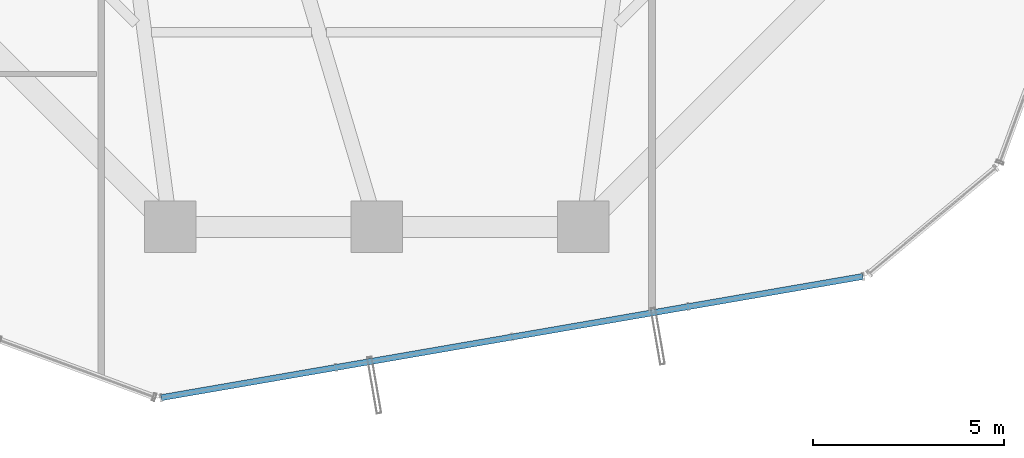
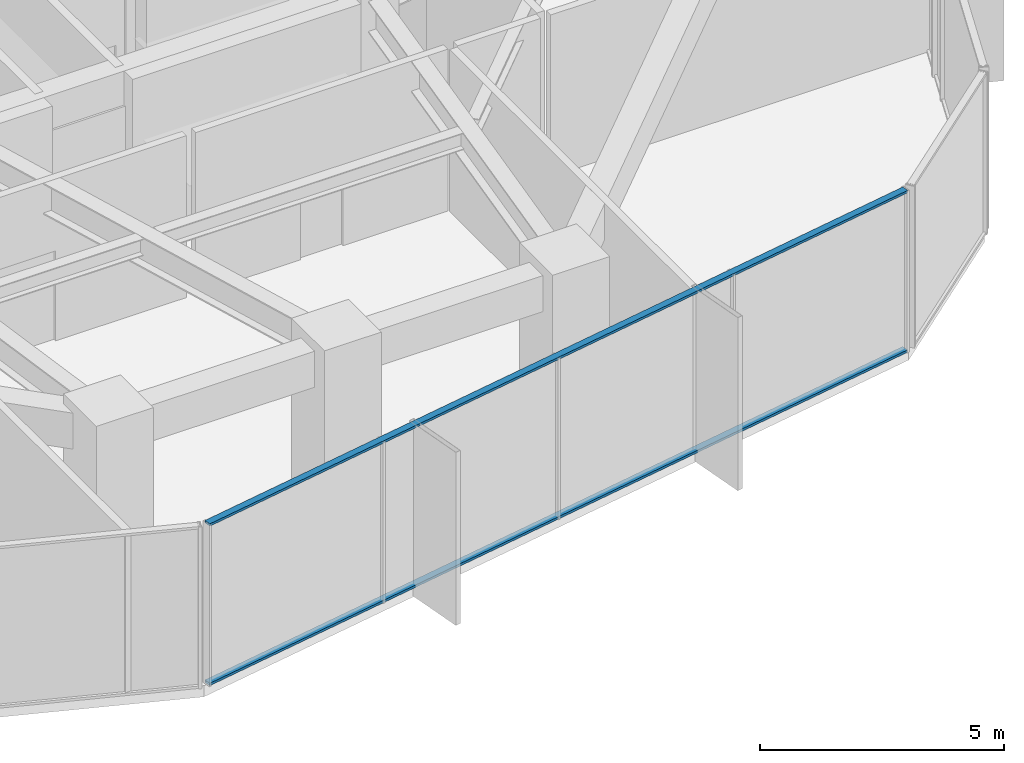
# One storey, part 7 of 35: 2 members, 1 element without a shape of its own.
"""IFC4 building model written with IfcOpenShell, lengths in metres."""

from ifc_helpers import new_model, si_unit, direction, frame, origin, origin_2d, place, context, subcontext, project, spatial, hollow_rectangle, extrude, source, transform, mapped, material, layer, layer_set, material_profile, profile_set, type_object, element, aggregate, save


model = new_model("IFC4")

# Units and contexts
model_context = context("Model", 3, precision=1e-05, world=origin(), true_north=direction((0.0, 1.0)))
body_context = subcontext(model_context, "Body", "Model", "MODEL_VIEW")
ifc_project = project(units=[si_unit("LENGTHUNIT", "METRE"), si_unit("AREAUNIT", "SQUARE_METRE"), si_unit("VOLUMEUNIT", "CUBIC_METRE"), si_unit("PLANEANGLEUNIT", "RADIAN"), si_unit("MASSUNIT", "GRAM", prefix="KILO")], contexts=[model_context])

# Site, building, storey
site_placement = place(None, origin())
site = spatial("IfcSite", under=ifc_project, at=site_placement, CompositionType="ELEMENT")
building_placement = place(site_placement, origin())
building = spatial("IfcBuilding", under=site, at=building_placement, Name="Veraguas Prism Commons", CompositionType="ELEMENT")
storey_placement = place(building_placement, frame((0.0, 0.0, 56.550048828125)))
storey = spatial("IfcBuildingStorey", under=building, at=storey_placement, Name="L15", CompositionType="ELEMENT", Elevation=56.550048828125)

# Curtain wall, members
ifc_material = material(Name="Anodised aluminium EN AW-6063 T6", Category="aluminium")
ifc_layer = layer(ifc_material, 0.199951171875, Name="Sky Lobby and Pool Acoustic Curtain Wall", Category="aluminium")
ifc_layer_set = layer_set([ifc_layer], Name="Anodised aluminium EN AW-6063 T6")
curtain_wall_type = type_object("IfcCurtainWallType", Name="Sky Lobby and Pool Acoustic Curtain Wall", PredefinedType="NOTDEFINED", material=ifc_layer_set)
curtain_wall_placement = place(storey_placement, origin())
curtain_wall = element("IfcCurtainWall", 1, at=curtain_wall_placement, inside=storey, type_object=curtain_wall_type, Name="Tower Facade Curtain Wall L15-F5", PredefinedType="NOTDEFINED")
ifc_material_profile = material_profile(ifc_material, hollow_rectangle(XDim=0.06005859375, YDim=0.159912109375, WallThickness=0.0029296875, at=origin_2d()), Name="AL60X160X3")
ifc_profile_set = profile_set([ifc_material_profile], Name="Anodised aluminium EN AW-6063 T6")
member_type = type_object("IfcMemberType", Name="Curtain Wall Transom Heavy AL 60x160x3", PredefinedType="USERDEFINED", material=ifc_profile_set)
shared_shape = source(origin(), body_context, "Body", "SweptSolid", [
    extrude(hollow_rectangle(XDim=0.06005859375, YDim=0.159912109375, WallThickness=0.0029296875, at=origin_2d()), origin(), (0.0, 0.0, 1.0), 18.619140625),
])
member_1_placement = place(storey_placement, frame((18.364013671875, 1.93408203125, 0.030029296875), z_axis=(0.98540752831, 0.170211642227, 0.0), x_axis=(0.0, 0.0, 1.0)))
member_1 = element("IfcMember", 2, at=member_1_placement, type_object=member_type, Name="CW-SKY Transom 1", ObjectType="TRANSOM", PredefinedType="USERDEFINED", context=body_context, shape_type="MappedRepresentation", body=[
    mapped(shared_shape, transform((0.0, 0.0, 0.0), scale=1.0)),
])
member_2_placement = place(storey_placement, frame((18.364013671875, 1.93408203125, 4.02001953125), z_axis=(0.98540752831, 0.170211642227, 0.0), x_axis=(0.0, 0.0, 1.0)))
member_2 = element("IfcMember", 3, at=member_2_placement, type_object=member_type, Name="CW-SKY Transom 2", ObjectType="TRANSOM", PredefinedType="USERDEFINED", context=body_context, shape_type="MappedRepresentation", body=[
    mapped(shared_shape, transform((0.0, 0.0, 0.0), scale=1.0)),
])
aggregate(curtain_wall, [member_1, member_2])

save(model, "model.ifc")
